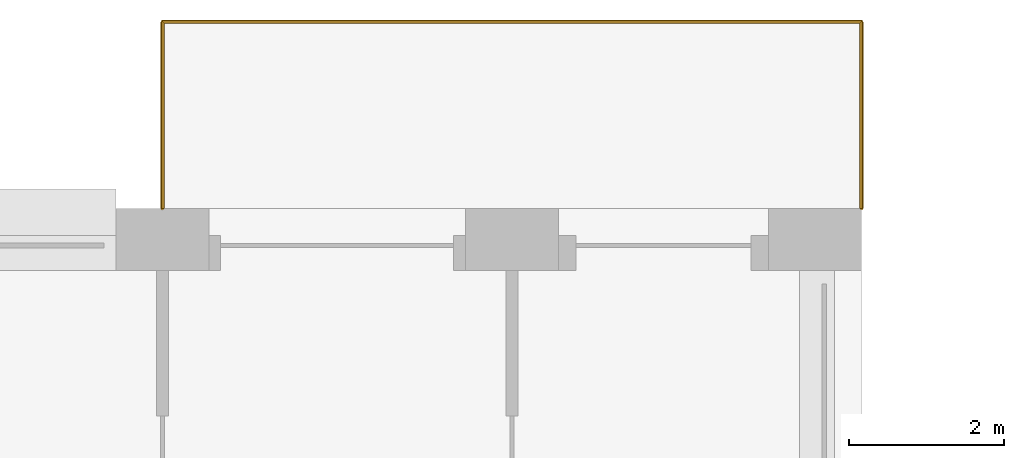
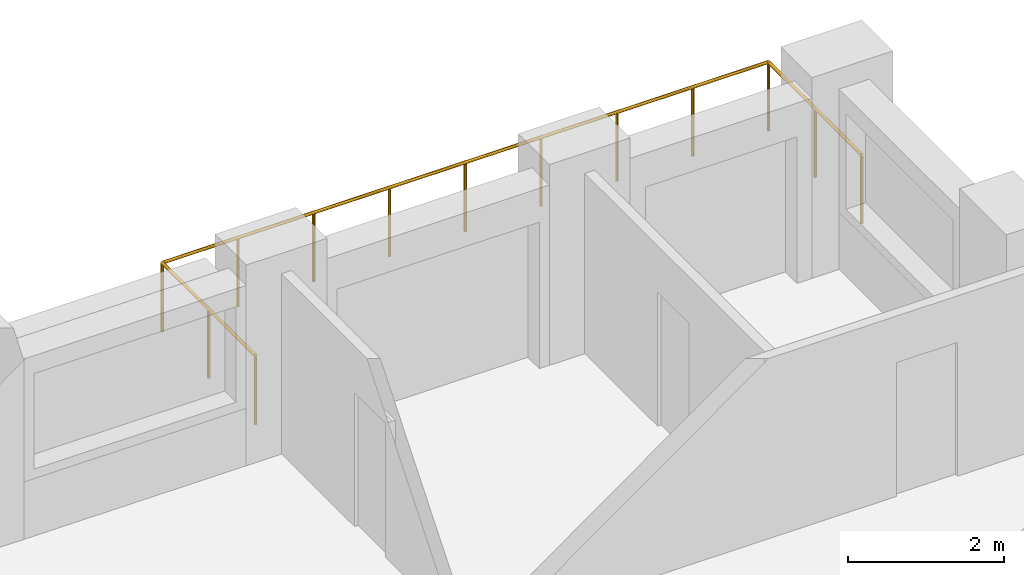
# One storey, part 20 of 20: 1 railing.
"""IFC4 building model written with IfcOpenShell, lengths in metres."""

from ifc_helpers import new_model, si_unit, direction, frame, origin, origin_2d, place, context, subcontext, project, spatial, circle, extrude, material, type_object, element, save


model = new_model("IFC4")

# Units and contexts
model_context = context("Model", 3, precision=1e-05, world=origin(), true_north=direction((0.0, 1.0)))
body_context = subcontext(model_context, "Body", "Model", "MODEL_VIEW")
ifc_project = project(units=[si_unit("LENGTHUNIT", "METRE"), si_unit("AREAUNIT", "SQUARE_METRE"), si_unit("VOLUMEUNIT", "CUBIC_METRE"), si_unit("PLANEANGLEUNIT", "RADIAN"), si_unit("MASSUNIT", "GRAM", prefix="KILO")], contexts=[model_context])

# Site, building, storey
site_placement = place(None, origin())
site = spatial("IfcSite", under=ifc_project, at=site_placement, CompositionType="ELEMENT")
building_placement = place(site_placement, origin())
building = spatial("IfcBuilding", under=site, at=building_placement, Name="Brigalow Station Residences", CompositionType="ELEMENT")
storey_placement = place(building_placement, frame((0.0, 0.0, 66.75)))
storey = spatial("IfcBuildingStorey", under=building, at=storey_placement, Name="L19", CompositionType="ELEMENT", Elevation=66.75)

# Railing
ifc_material = material(Name="Stainless steel balustrade with laminated glass infill", Category="steel")
railing_type = type_object("IfcRailingType", Name="BALCONY GUARD 1100", PredefinedType="GUARDRAIL", material=ifc_material)
railing_placement = place(storey_placement, frame((72.0, 48.5, -0.0400390625)))
element("IfcRailing", 1, at=railing_placement, inside=storey, type_object=railing_type, Name="L19/balcony-guard/2", PredefinedType="GUARDRAIL", context=body_context, shape_type="SweptSolid", body=[
    extrude(circle(Radius=0.02392578125, at=origin_2d()), frame((0.0, 0.0, 1.076171875), z_axis=(0.0, 1.0, 0.0), x_axis=(-1.0, 0.0, 0.0)), (0.0, 0.0, 1.0), 2.39990234375),
    extrude(circle(Radius=0.02392578125, at=origin_2d()), frame((0.0, 2.39990234375, 1.076171875), z_axis=(-1.0, 0.0, 0.0), x_axis=(0.0, -1.0, 0.0)), (0.0, 0.0, 1.0), 9.0),
    extrude(circle(Radius=0.02392578125, at=origin_2d()), frame((-9.0, 2.39990234375, 1.076171875), z_axis=(0.0, -1.0, 0.0), x_axis=(1.0, 0.0, 0.0)), (0.0, 0.0, 1.0), 2.39990234375),
    extrude(circle(Radius=0.02099609375, at=origin_2d()), origin(), (0.0, 0.0, 1.0), 1.052001953125),
    extrude(circle(Radius=0.02099609375, at=origin_2d()), frame((0.0, 1.199951171875, 0.0)), (0.0, 0.0, 1.0), 1.052001953125),
    extrude(circle(Radius=0.02099609375, at=origin_2d()), frame((0.0, 2.39990234375, 0.0)), (0.0, 0.0, 1.0), 1.052001953125),
    extrude(circle(Radius=0.02099609375, at=origin_2d()), frame((-1.125, 2.39990234375, 0.0)), (0.0, 0.0, 1.0), 1.052001953125),
    extrude(circle(Radius=0.02099609375, at=origin_2d()), frame((-2.25, 2.39990234375, 0.0)), (0.0, 0.0, 1.0), 1.052001953125),
    extrude(circle(Radius=0.02099609375, at=origin_2d()), frame((-3.375, 2.39990234375, 0.0)), (0.0, 0.0, 1.0), 1.052001953125),
    extrude(circle(Radius=0.02099609375, at=origin_2d()), frame((-4.5, 2.39990234375, 0.0)), (0.0, 0.0, 1.0), 1.052001953125),
    extrude(circle(Radius=0.02099609375, at=origin_2d()), frame((-5.625, 2.39990234375, 0.0)), (0.0, 0.0, 1.0), 1.052001953125),
    extrude(circle(Radius=0.02099609375, at=origin_2d()), frame((-6.75, 2.39990234375, 0.0)), (0.0, 0.0, 1.0), 1.052001953125),
    extrude(circle(Radius=0.02099609375, at=origin_2d()), frame((-7.875, 2.39990234375, 0.0)), (0.0, 0.0, 1.0), 1.052001953125),
    extrude(circle(Radius=0.02099609375, at=origin_2d()), frame((-9.0, 2.39990234375, 0.0)), (0.0, 0.0, 1.0), 1.052001953125),
    extrude(circle(Radius=0.02099609375, at=origin_2d()), frame((-9.0, 1.199951171875, 0.0)), (0.0, 0.0, 1.0), 1.052001953125),
    extrude(circle(Radius=0.02099609375, at=origin_2d()), frame((-9.0, 0.0, 0.0)), (0.0, 0.0, 1.0), 1.052001953125),
])

save(model, "model.ifc")
